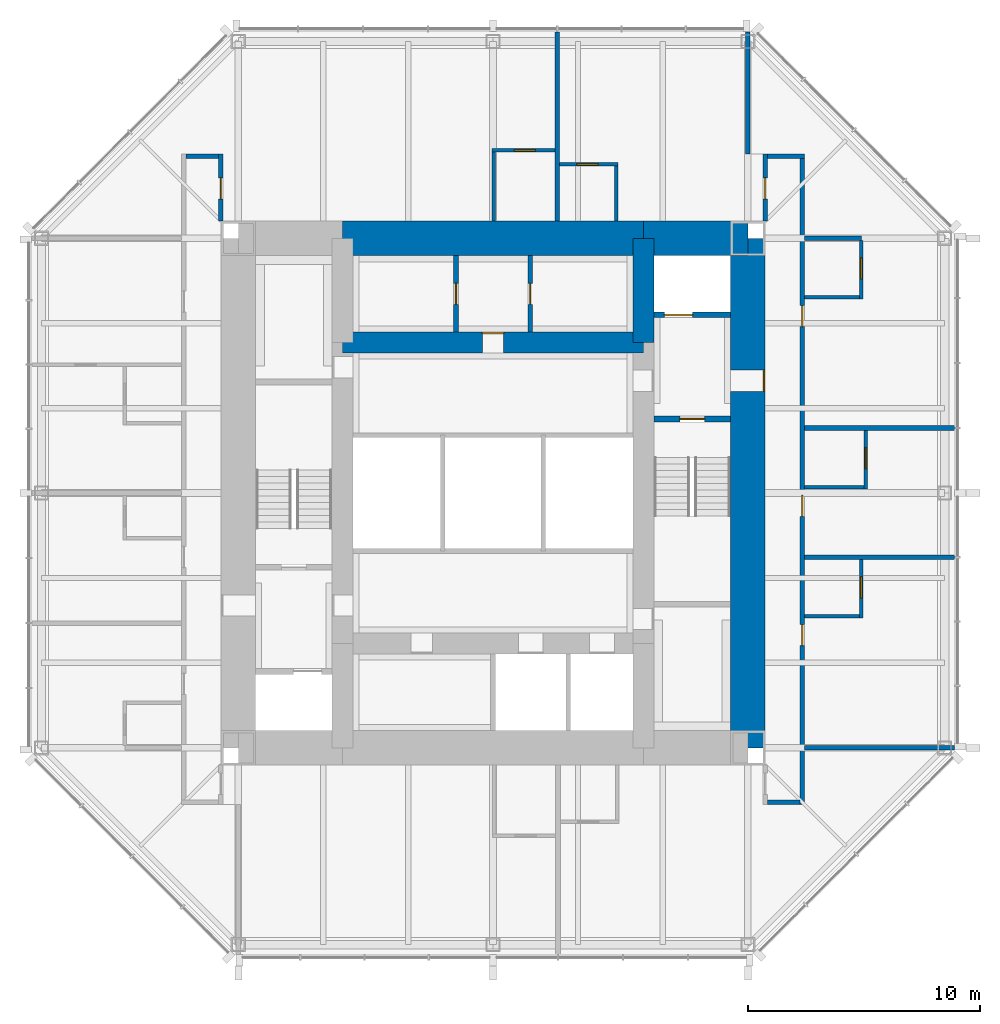
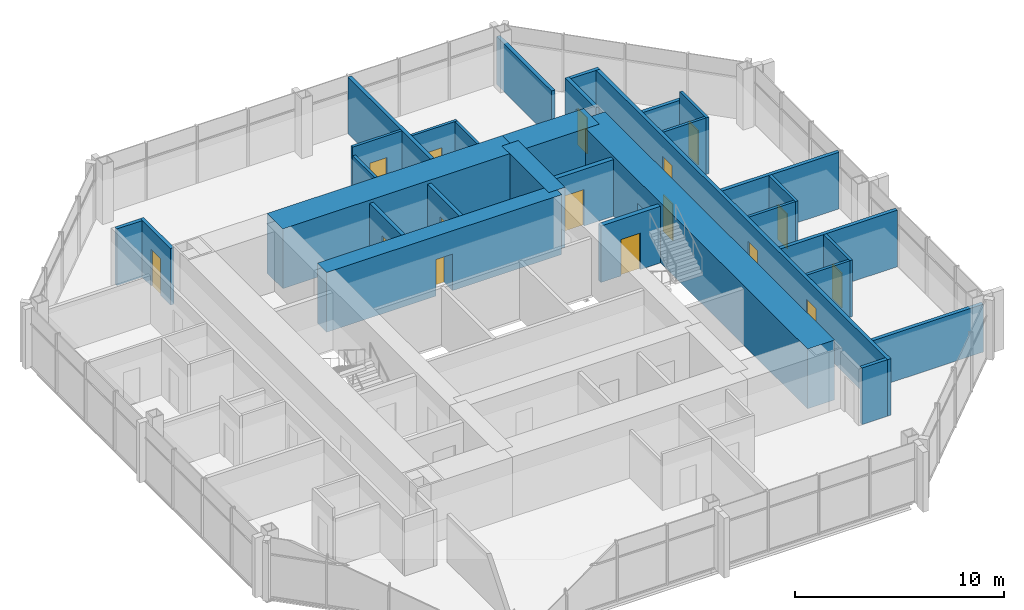
# One storey, part 9 of 11: 31 walls, 16 doors, 16 openings.
"""IFC4 building model written with IfcOpenShell, lengths in metres."""

from ifc_helpers import new_model, si_unit, direction, frame, frame_2d, origin, place, context, subcontext, project, spatial, rectangle, extrude, material, layer, layer_set, type_object, element, fill, save


model = new_model("IFC4")

# Units and contexts
model_context = context("Model", 3, precision=1e-05, world=origin(), true_north=direction((0.0, 1.0)))
body_context = subcontext(model_context, "Body", "Model", "MODEL_VIEW")
ifc_project = project(units=[si_unit("LENGTHUNIT", "METRE"), si_unit("AREAUNIT", "SQUARE_METRE"), si_unit("VOLUMEUNIT", "CUBIC_METRE"), si_unit("PLANEANGLEUNIT", "RADIAN"), si_unit("MASSUNIT", "GRAM", prefix="KILO")], contexts=[model_context])

# Site, building, storey
site_placement = place(None, origin())
site = spatial("IfcSite", under=ifc_project, at=site_placement, CompositionType="ELEMENT")
building_placement = place(site_placement, origin())
building = spatial("IfcBuilding", under=site, at=building_placement, Name="Trevanion Tower", CompositionType="ELEMENT")
storey_placement = place(building_placement, frame((0.0, 0.0, 250.199951171875)))
storey = spatial("IfcBuildingStorey", under=building, at=storey_placement, Name="L61", CompositionType="ELEMENT", Elevation=250.199951171875)

# Wall, opening, door
ifc_material_1 = material(Name="Concrete 10,000 psi", Category="concrete")
ifc_layer_1 = layer(ifc_material_1, 1.5)
ifc_layer_set_1 = layer_set([ifc_layer_1], Name="CW1 core wall 1500")
wall_type_1 = type_object("IfcWallType", Name="CW1 core wall 1500", PredefinedType="SHEAR", material=ifc_layer_set_1)
wall_1_placement = place(storey_placement, frame((11.0, -11.0, 0.0), z_axis=(0.0, 0.0, 1.0), x_axis=(0.0, 1.0, 0.0)))
wall_1 = element("IfcWall", 1, at=wall_1_placement, inside=storey, type_object=wall_type_1, Name="CW1 CE L61", PredefinedType="SHEAR", context=body_context, shape_type="SweptSolid", body=[
    extrude(rectangle(XDim=22.0, YDim=1.5, at=frame_2d((11.0, 0.0))), origin(), (0.0, 0.0, 1.0), 3.5),
])
opening_1_placement = place(wall_1_placement, frame((15.392578125, 0.0, 0.0)))
opening_1 = element("IfcOpeningElement", 2, at=opening_1_placement, cuts=wall_1, Name="Opening 61-001", PredefinedType="OPENING", context=body_context, shape_type="SweptSolid", body=[
    extrude(rectangle(XDim=0.9150390625, YDim=2.134033203125, at=frame_2d((0.45751953125, 1.06689453125))), frame((0.0, 0.760009765625, 0.0), z_axis=(0.0, -1.0, 0.0), x_axis=(1.0, 0.0, 0.0)), (0.0, 0.0, 1.0), 1.52001953125),
])
ifc_material_2 = material(Name="Hollow metal, fire rated", Category="steel")
door_type_1 = type_object("IfcDoorType", Name="D3 fire lift lobby door", OperationType="SINGLE_SWING_RIGHT", PredefinedType="DOOR", material=ifc_material_2)
door_1_placement = place(opening_1_placement, origin())
door_1 = element("IfcDoor", 3, at=door_1_placement, inside=storey, type_object=door_type_1, Name="Door 61-001", OperationType="SINGLE_SWING_RIGHT", OverallHeight=2.134033203125, OverallWidth=0.9150390625, PredefinedType="DOOR", context=body_context, shape_type="SweptSolid", body=[
    extrude(rectangle(XDim=0.9150390625, YDim=2.134033203125, at=frame_2d((0.45751953125, 1.06689453125))), frame((0.0, -0.6748046875, 0.0), z_axis=(0.0, -1.0, 0.0), x_axis=(1.0, 0.0, 0.0)), (0.0, 0.0, 1.0), 0.050048828125),
])
fill(opening_1, door_1)

# Walls
wall_2_placement = place(storey_placement, frame((11.0, 11.0, 0.0), z_axis=(0.0, 0.0, 1.0), x_axis=(-1.0, 0.0, 0.0)))
element("IfcWall", 4, at=wall_2_placement, inside=storey, type_object=wall_type_1, Name="CW1 CN1 L61", PredefinedType="SHEAR", context=body_context, shape_type="SweptSolid", body=[
    extrude(rectangle(XDim=4.5, YDim=1.5, at=frame_2d((2.25, 0.0))), origin(), (0.0, 0.0, 1.0), 3.5),
])
wall_3_placement = place(storey_placement, frame((6.5, 11.0, 0.0), z_axis=(0.0, 0.0, 1.0), x_axis=(-1.0, 0.0, 0.0)))
element("IfcWall", 5, at=wall_3_placement, inside=storey, type_object=wall_type_1, Name="CW1 CN2 L61", PredefinedType="SHEAR", context=body_context, shape_type="SweptSolid", body=[
    extrude(rectangle(XDim=13.0, YDim=1.5, at=frame_2d((6.5, 0.0))), origin(), (0.0, 0.0, 1.0), 3.5),
])
ifc_material_3 = material(Name="Concrete 10,000 psi", Category="concrete")
ifc_layer_2 = layer(ifc_material_3, 0.89990234375)
ifc_layer_set_2 = layer_set([ifc_layer_2], Name="CW2 core wall 900")
wall_type_2 = type_object("IfcWallType", Name="CW2 core wall 900", PredefinedType="SHEAR", material=ifc_layer_set_2)
wall_4_placement = place(storey_placement, frame((6.5, 6.5, 0.0), z_axis=(0.0, 0.0, 1.0), x_axis=(0.0, 1.0, 0.0)))
element("IfcWall", 6, at=wall_4_placement, inside=storey, type_object=wall_type_2, Name="CW2 RE3 L61", PredefinedType="SHEAR", context=body_context, shape_type="SweptSolid", body=[
    extrude(rectangle(XDim=4.5, YDim=0.89990234375, at=frame_2d((2.25, 0.0))), origin(), (0.0, 0.0, 1.0), 3.5),
])

# Wall, opening, door
wall_5_placement = place(storey_placement, frame((6.5, 6.5, 0.0), z_axis=(0.0, 0.0, 1.0), x_axis=(-1.0, 0.0, 0.0)))
wall_5 = element("IfcWall", 7, at=wall_5_placement, inside=storey, type_object=wall_type_2, Name="CW2 RN L61", PredefinedType="SHEAR", context=body_context, shape_type="SweptSolid", body=[
    extrude(rectangle(XDim=13.0, YDim=0.89990234375, at=frame_2d((6.5, 0.0))), origin(), (0.0, 0.0, 1.0), 3.5),
])
opening_2_placement = place(wall_5_placement, frame((6.04248046875, 0.0, 0.0)))
opening_2 = element("IfcOpeningElement", 8, at=opening_2_placement, cuts=wall_5, Name="Opening 61-014", PredefinedType="OPENING", context=body_context, shape_type="SweptSolid", body=[
    extrude(rectangle(XDim=0.9150390625, YDim=2.134033203125, at=frame_2d((0.45751953125, 1.06689453125))), frame((0.0, 0.4599609375, 0.0), z_axis=(0.0, -1.0, 0.0), x_axis=(1.0, 0.0, 0.0)), (0.0, 0.0, 1.0), 0.919921875),
])
ifc_material_4 = material(Name="Hollow metal, fire rated", Category="steel")
door_type_2 = type_object("IfcDoorType", Name="D5 service room door", OperationType="SINGLE_SWING_RIGHT", PredefinedType="DOOR", material=ifc_material_4)
door_2_placement = place(opening_2_placement, origin())
door_2 = element("IfcDoor", 9, at=door_2_placement, inside=storey, type_object=door_type_2, Name="Door 61-014", OperationType="SINGLE_SWING_RIGHT", OverallHeight=2.134033203125, OverallWidth=0.9150390625, PredefinedType="DOOR", context=body_context, shape_type="SweptSolid", body=[
    extrude(rectangle(XDim=0.9150390625, YDim=2.134033203125, at=frame_2d((0.45751953125, 1.06689453125))), frame((0.0, -0.375, 0.0), z_axis=(0.0, -1.0, 0.0), x_axis=(1.0, 0.0, 0.0)), (0.0, 0.0, 1.0), 0.050048828125),
])
fill(opening_2, door_2)

ifc_material_5 = material(Name="Gypsum board on steel studs", Category="steel")
ifc_layer_3 = layer(ifc_material_5, 0.14990234375)
ifc_layer_set_3 = layer_set([ifc_layer_3], Name="PT1 partition 150")
wall_type_3 = type_object("IfcWallType", Name="PT1 partition 150", PredefinedType="PARTITIONING", material=ifc_layer_set_3)
wall_6_placement = place(storey_placement, frame((15.89990234375, -5.39990234375, 0.0), z_axis=(0.0, 0.0, 1.0), x_axis=(0.0, 1.0, 0.0)))
wall_6 = element("IfcWall", 10, at=wall_6_placement, inside=storey, type_object=wall_type_3, Name="PT1 L61 BA00", PredefinedType="PARTITIONING", context=body_context, shape_type="SweptSolid", body=[
    extrude(rectangle(XDim=2.52490234375, YDim=0.14990234375, at=frame_2d((1.262451171875, 0.0))), origin(), (0.0, 0.0, 1.0), 3.31005859375),
])
opening_3_placement = place(wall_6_placement, frame((0.867431640625, 0.0, 0.0)))
opening_3 = element("IfcOpeningElement", 11, at=opening_3_placement, cuts=wall_6, Name="Opening 61-017", PredefinedType="OPENING", context=body_context, shape_type="SweptSolid", body=[
    extrude(rectangle(XDim=0.9150390625, YDim=2.031982421875, at=frame_2d((0.45751953125, 1.01611328125))), frame((0.0, 0.0849609375, 0.0), z_axis=(0.0, -1.0, 0.0), x_axis=(1.0, 0.0, 0.0)), (0.0, 0.0, 1.0), 0.169921875),
])
ifc_material_6 = material(Name="Timber veneer", Category="wood")
door_type_3 = type_object("IfcDoorType", Name="D7 bathroom door", OperationType="SINGLE_SWING_LEFT", PredefinedType="DOOR", material=ifc_material_6)
door_3_placement = place(opening_3_placement, origin())
door_3 = element("IfcDoor", 12, at=door_3_placement, inside=storey, type_object=door_type_3, Name="Door 61-017", OperationType="SINGLE_SWING_LEFT", OverallHeight=2.031982421875, OverallWidth=0.9150390625, PredefinedType="DOOR", context=body_context, shape_type="SweptSolid", body=[
    extrude(rectangle(XDim=0.9150390625, YDim=2.031982421875, at=frame_2d((0.45751953125, 1.01611328125))), frame((0.0, 0.02490234375, 0.0), z_axis=(0.0, -1.0, 0.0), x_axis=(1.0, 0.0, 0.0)), (0.0, 0.0, 1.0), 0.050048828125),
])
fill(opening_3, door_3)

# Wall
wall_7_placement = place(storey_placement, frame((13.449951171875, -5.324951171875, 0.0), z_axis=(0.0, 0.0, 1.0), x_axis=(1.0, 0.0, 0.0)))
element("IfcWall", 13, at=wall_7_placement, inside=storey, type_object=wall_type_3, Name="PT1 L61 BB00", PredefinedType="PARTITIONING", context=body_context, shape_type="SweptSolid", body=[
    extrude(rectangle(XDim=2.375, YDim=0.14990234375, at=frame_2d((1.1875, 0.0))), origin(), (0.0, 0.0, 1.0), 3.31005859375),
])

# Wall, opening, door
wall_8_placement = place(storey_placement, frame((16.10009765625, 0.181884765625, 0.0), z_axis=(0.0, 0.0, 1.0), x_axis=(0.0, 1.0, 0.0)))
wall_8 = element("IfcWall", 14, at=wall_8_placement, inside=storey, type_object=wall_type_3, Name="PT1 L61 BA01", PredefinedType="PARTITIONING", context=body_context, shape_type="SweptSolid", body=[
    extrude(rectangle(XDim=2.525146484375, YDim=0.14990234375, at=frame_2d((1.2626953125, 0.0))), origin(), (0.0, 0.0, 1.0), 3.31005859375),
])
opening_4_placement = place(wall_8_placement, frame((0.867431640625, 0.0, 0.0)))
opening_4 = element("IfcOpeningElement", 15, at=opening_4_placement, cuts=wall_8, Name="Opening 61-019", PredefinedType="OPENING", context=body_context, shape_type="SweptSolid", body=[
    extrude(rectangle(XDim=0.9150390625, YDim=2.031982421875, at=frame_2d((0.45751953125, 1.01611328125))), frame((0.0, 0.0849609375, 0.0), z_axis=(0.0, -1.0, 0.0), x_axis=(1.0, 0.0, 0.0)), (0.0, 0.0, 1.0), 0.169921875),
])
door_4_placement = place(opening_4_placement, origin())
door_4 = element("IfcDoor", 16, at=door_4_placement, inside=storey, type_object=door_type_3, Name="Door 61-019", OperationType="SINGLE_SWING_LEFT", OverallHeight=2.031982421875, OverallWidth=0.9150390625, PredefinedType="DOOR", context=body_context, shape_type="SweptSolid", body=[
    extrude(rectangle(XDim=0.9150390625, YDim=2.031982421875, at=frame_2d((0.45751953125, 1.01611328125))), frame((0.0, 0.02490234375, 0.0), z_axis=(0.0, -1.0, 0.0), x_axis=(1.0, 0.0, 0.0)), (0.0, 0.0, 1.0), 0.050048828125),
])
fill(opening_4, door_4)

# Wall
wall_9_placement = place(storey_placement, frame((13.449951171875, 0.257080078125, 0.0), z_axis=(0.0, 0.0, 1.0), x_axis=(1.0, 0.0, 0.0)))
element("IfcWall", 17, at=wall_9_placement, inside=storey, type_object=wall_type_3, Name="PT1 L61 BB01", PredefinedType="PARTITIONING", context=body_context, shape_type="SweptSolid", body=[
    extrude(rectangle(XDim=2.574951171875, YDim=0.14990234375, at=frame_2d((1.28759765625, 0.0))), origin(), (0.0, 0.0, 1.0), 3.31005859375),
])

# Wall, opening, door
wall_10_placement = place(storey_placement, frame((15.89990234375, 8.375, 0.0), z_axis=(0.0, 0.0, 1.0), x_axis=(0.0, 1.0, 0.0)))
wall_10 = element("IfcWall", 18, at=wall_10_placement, inside=storey, type_object=wall_type_3, Name="PT1 L61 BA02", PredefinedType="PARTITIONING", context=body_context, shape_type="SweptSolid", body=[
    extrude(rectangle(XDim=2.52490234375, YDim=0.14990234375, at=frame_2d((1.262451171875, 0.0))), origin(), (0.0, 0.0, 1.0), 3.31005859375),
])
opening_5_placement = place(wall_10_placement, frame((0.867431640625, 0.0, 0.0)))
opening_5 = element("IfcOpeningElement", 19, at=opening_5_placement, cuts=wall_10, Name="Opening 61-021", PredefinedType="OPENING", context=body_context, shape_type="SweptSolid", body=[
    extrude(rectangle(XDim=0.9150390625, YDim=2.031982421875, at=frame_2d((0.45751953125, 1.01611328125))), frame((0.0, 0.0849609375, 0.0), z_axis=(0.0, -1.0, 0.0), x_axis=(1.0, 0.0, 0.0)), (0.0, 0.0, 1.0), 0.169921875),
])
door_5_placement = place(opening_5_placement, origin())
door_5 = element("IfcDoor", 20, at=door_5_placement, inside=storey, type_object=door_type_3, Name="Door 61-021", OperationType="SINGLE_SWING_LEFT", OverallHeight=2.031982421875, OverallWidth=0.9150390625, PredefinedType="DOOR", context=body_context, shape_type="SweptSolid", body=[
    extrude(rectangle(XDim=0.9150390625, YDim=2.031982421875, at=frame_2d((0.45751953125, 1.01611328125))), frame((0.0, 0.02490234375, 0.0), z_axis=(0.0, -1.0, 0.0), x_axis=(1.0, 0.0, 0.0)), (0.0, 0.0, 1.0), 0.050048828125),
])
fill(opening_5, door_5)

# Wall
wall_11_placement = place(storey_placement, frame((13.449951171875, 8.449951171875, 0.0), z_axis=(0.0, 0.0, 1.0), x_axis=(1.0, 0.0, 0.0)))
element("IfcWall", 21, at=wall_11_placement, inside=storey, type_object=wall_type_3, Name="PT1 L61 BB02", PredefinedType="PARTITIONING", context=body_context, shape_type="SweptSolid", body=[
    extrude(rectangle(XDim=2.375, YDim=0.14990234375, at=frame_2d((1.1875, 0.0))), origin(), (0.0, 0.0, 1.0), 3.31005859375),
])

# Wall, opening, door
wall_12_placement = place(storey_placement, frame((5.39990234375, 14.199951171875, 0.0), z_axis=(0.0, 0.0, 1.0), x_axis=(-1.0, 0.0, 0.0)))
wall_12 = element("IfcWall", 22, at=wall_12_placement, inside=storey, type_object=wall_type_3, Name="PT1 L61 BA10", PredefinedType="PARTITIONING", context=body_context, shape_type="SweptSolid", body=[
    extrude(rectangle(XDim=2.52490234375, YDim=0.14990234375, at=frame_2d((1.262451171875, 0.0))), origin(), (0.0, 0.0, 1.0), 3.31005859375),
])
opening_6_placement = place(wall_12_placement, frame((0.867431640625, 0.0, 0.0)))
opening_6 = element("IfcOpeningElement", 23, at=opening_6_placement, cuts=wall_12, Name="Opening 61-025", PredefinedType="OPENING", context=body_context, shape_type="SweptSolid", body=[
    extrude(rectangle(XDim=0.9150390625, YDim=2.031982421875, at=frame_2d((0.45751953125, 1.01611328125))), frame((0.0, 0.0849609375, 0.0), z_axis=(0.0, -1.0, 0.0), x_axis=(1.0, 0.0, 0.0)), (0.0, 0.0, 1.0), 0.169921875),
])
door_6_placement = place(opening_6_placement, origin())
door_6 = element("IfcDoor", 24, at=door_6_placement, inside=storey, type_object=door_type_3, Name="Door 61-025", OperationType="SINGLE_SWING_LEFT", OverallHeight=2.031982421875, OverallWidth=0.9150390625, PredefinedType="DOOR", context=body_context, shape_type="SweptSolid", body=[
    extrude(rectangle(XDim=0.9150390625, YDim=2.031982421875, at=frame_2d((0.45751953125, 1.01611328125))), frame((0.0, 0.02490234375, 0.0), z_axis=(0.0, -1.0, 0.0), x_axis=(1.0, 0.0, 0.0)), (0.0, 0.0, 1.0), 0.050048828125),
])
fill(opening_6, door_6)

# Wall
wall_13_placement = place(storey_placement, frame((5.324951171875, 11.75, 0.0), z_axis=(0.0, 0.0, 1.0), x_axis=(0.0, 1.0, 0.0)))
element("IfcWall", 25, at=wall_13_placement, inside=storey, type_object=wall_type_3, Name="PT1 L61 BB10", PredefinedType="PARTITIONING", context=body_context, shape_type="SweptSolid", body=[
    extrude(rectangle(XDim=2.375, YDim=0.14990234375, at=frame_2d((1.1875, 0.0))), origin(), (0.0, 0.0, 1.0), 3.31005859375),
])

# Wall, opening, door
wall_14_placement = place(storey_placement, frame((2.675048828125, 14.800048828125, 0.0), z_axis=(0.0, 0.0, 1.0), x_axis=(-1.0, 0.0, 0.0)))
wall_14 = element("IfcWall", 26, at=wall_14_placement, inside=storey, type_object=wall_type_3, Name="PT1 L61 BA11", PredefinedType="PARTITIONING", context=body_context, shape_type="SweptSolid", body=[
    extrude(rectangle(XDim=2.72509765625, YDim=0.14990234375, at=frame_2d((1.362548828125, 0.0))), origin(), (0.0, 0.0, 1.0), 3.31005859375),
])
opening_7_placement = place(wall_14_placement, frame((0.842529296875, 0.0, 0.0)))
opening_7 = element("IfcOpeningElement", 27, at=opening_7_placement, cuts=wall_14, Name="Opening 61-026", PredefinedType="OPENING", context=body_context, shape_type="SweptSolid", body=[
    extrude(rectangle(XDim=0.9150390625, YDim=2.031982421875, at=frame_2d((0.45751953125, 1.01611328125))), frame((0.0, 0.0849609375, 0.0), z_axis=(0.0, -1.0, 0.0), x_axis=(1.0, 0.0, 0.0)), (0.0, 0.0, 1.0), 0.169921875),
])
door_7_placement = place(opening_7_placement, origin())
door_7 = element("IfcDoor", 28, at=door_7_placement, inside=storey, type_object=door_type_3, Name="Door 61-026", OperationType="SINGLE_SWING_LEFT", OverallHeight=2.031982421875, OverallWidth=0.9150390625, PredefinedType="DOOR", context=body_context, shape_type="SweptSolid", body=[
    extrude(rectangle(XDim=0.9150390625, YDim=2.031982421875, at=frame_2d((0.45751953125, 1.01611328125))), frame((0.0, 0.02490234375, 0.0), z_axis=(0.0, -1.0, 0.0), x_axis=(1.0, 0.0, 0.0)), (0.0, 0.0, 1.0), 0.050048828125),
])
fill(opening_7, door_7)

# Wall
wall_15_placement = place(storey_placement, frame((0.02490234375, 11.75, 0.0), z_axis=(0.0, 0.0, 1.0), x_axis=(0.0, 1.0, 0.0)))
element("IfcWall", 29, at=wall_15_placement, inside=storey, type_object=wall_type_3, Name="PT1 L61 BB11", PredefinedType="PARTITIONING", context=body_context, shape_type="SweptSolid", body=[
    extrude(rectangle(XDim=2.97509765625, YDim=0.14990234375, at=frame_2d((1.487548828125, 0.0))), origin(), (0.0, 0.0, 1.0), 2.802001953125),
])

# Wall, opening, door
ifc_material_7 = material(Name="Concrete masonry, grouted", Category="masonry")
ifc_layer_4 = layer(ifc_material_7, 0.199951171875)
ifc_layer_set_4 = layer_set([ifc_layer_4], Name="PT2 partition 200 1 HR")
wall_type_4 = type_object("IfcWallType", Name="PT2 partition 200 1 HR", PredefinedType="PARTITIONING", material=ifc_layer_set_4)
wall_16_placement = place(storey_placement, frame((-1.60009765625, 6.949951171875, 0.0), z_axis=(0.0, 0.0, 1.0), x_axis=(0.0, 1.0, 0.0)))
wall_16 = element("IfcWall", 30, at=wall_16_placement, inside=storey, type_object=wall_type_4, Name="PT2 L61 HKP1", PredefinedType="PARTITIONING", context=body_context, shape_type="SweptSolid", body=[
    extrude(rectangle(XDim=3.300048828125, YDim=0.199951171875, at=frame_2d((1.64990234375, 0.0))), origin(), (0.0, 0.0, 1.0), 3.31005859375),
])
opening_8_placement = place(wall_16_placement, frame((1.1923828125, 0.0, 0.0)))
opening_8 = element("IfcOpeningElement", 31, at=opening_8_placement, cuts=wall_16, Name="Opening 61-015", PredefinedType="OPENING", context=body_context, shape_type="SweptSolid", body=[
    extrude(rectangle(XDim=0.9150390625, YDim=2.134033203125, at=frame_2d((0.45751953125, 1.06689453125))), frame((0.0, 0.10986328125, 0.0), z_axis=(0.0, -1.0, 0.0), x_axis=(1.0, 0.0, 0.0)), (0.0, 0.0, 1.0), 0.219970703125),
])
door_8_placement = place(opening_8_placement, origin())
door_8 = element("IfcDoor", 32, at=door_8_placement, inside=storey, type_object=door_type_2, Name="Door 61-015", OperationType="SINGLE_SWING_RIGHT", OverallHeight=2.134033203125, OverallWidth=0.9150390625, PredefinedType="DOOR", context=body_context, shape_type="SweptSolid", body=[
    extrude(rectangle(XDim=0.9150390625, YDim=2.134033203125, at=frame_2d((0.45751953125, 1.06689453125))), frame((0.0, 0.02490234375, 0.0), z_axis=(0.0, -1.0, 0.0), x_axis=(1.0, 0.0, 0.0)), (0.0, 0.0, 1.0), 0.050048828125),
])
fill(opening_8, door_8)

wall_17_placement = place(storey_placement, frame((1.60009765625, 6.949951171875, 0.0), z_axis=(0.0, 0.0, 1.0), x_axis=(0.0, 1.0, 0.0)))
wall_17 = element("IfcWall", 33, at=wall_17_placement, inside=storey, type_object=wall_type_4, Name="PT2 L61 HKP2", PredefinedType="PARTITIONING", context=body_context, shape_type="SweptSolid", body=[
    extrude(rectangle(XDim=3.300048828125, YDim=0.199951171875, at=frame_2d((1.64990234375, 0.0))), origin(), (0.0, 0.0, 1.0), 3.31005859375),
])
opening_9_placement = place(wall_17_placement, frame((1.1923828125, 0.0, 0.0)))
opening_9 = element("IfcOpeningElement", 34, at=opening_9_placement, cuts=wall_17, Name="Opening 61-016", PredefinedType="OPENING", context=body_context, shape_type="SweptSolid", body=[
    extrude(rectangle(XDim=0.9150390625, YDim=2.134033203125, at=frame_2d((0.45751953125, 1.06689453125))), frame((0.0, 0.10986328125, 0.0), z_axis=(0.0, -1.0, 0.0), x_axis=(1.0, 0.0, 0.0)), (0.0, 0.0, 1.0), 0.219970703125),
])
door_9_placement = place(opening_9_placement, origin())
door_9 = element("IfcDoor", 35, at=door_9_placement, inside=storey, type_object=door_type_2, Name="Door 61-016", OperationType="SINGLE_SWING_RIGHT", OverallHeight=2.134033203125, OverallWidth=0.9150390625, PredefinedType="DOOR", context=body_context, shape_type="SweptSolid", body=[
    extrude(rectangle(XDim=0.9150390625, YDim=2.134033203125, at=frame_2d((0.45751953125, 1.06689453125))), frame((0.0, 0.02490234375, 0.0), z_axis=(0.0, -1.0, 0.0), x_axis=(1.0, 0.0, 0.0)), (0.0, 0.0, 1.0), 0.050048828125),
])
fill(opening_9, door_9)

wall_18_placement = place(storey_placement, frame((11.75, 11.75, 0.0), z_axis=(0.0, 0.0, 1.0), x_axis=(0.0, 1.0, 0.0)))
wall_18 = element("IfcWall", 36, at=wall_18_placement, inside=storey, type_object=wall_type_4, Name="PT2 L61 HO1a", PredefinedType="PARTITIONING", context=body_context, shape_type="SweptSolid", body=[
    extrude(rectangle(XDim=2.89990234375, YDim=0.199951171875, at=frame_2d((1.449951171875, 0.0))), origin(), (0.0, 0.0, 1.0), 3.31005859375),
])
opening_10_placement = place(wall_18_placement, frame((0.9423828125, 0.0, 0.0)))
opening_10 = element("IfcOpeningElement", 37, at=opening_10_placement, cuts=wall_18, Name="Opening 61-023", PredefinedType="OPENING", context=body_context, shape_type="SweptSolid", body=[
    extrude(rectangle(XDim=0.9150390625, YDim=2.134033203125, at=frame_2d((0.45751953125, 1.06689453125))), frame((0.0, 0.10986328125, 0.0), z_axis=(0.0, -1.0, 0.0), x_axis=(1.0, 0.0, 0.0)), (0.0, 0.0, 1.0), 0.219970703125),
])
ifc_material_8 = material(Name="Timber veneer, fire rated", Category="wood")
door_type_4 = type_object("IfcDoorType", Name="D6 guest room entrance door", OperationType="SINGLE_SWING_LEFT", PredefinedType="DOOR", material=ifc_material_8)
door_10_placement = place(opening_10_placement, origin())
door_10 = element("IfcDoor", 38, at=door_10_placement, inside=storey, type_object=door_type_4, Name="Door 61-023", OperationType="SINGLE_SWING_LEFT", OverallHeight=2.134033203125, OverallWidth=0.9150390625, PredefinedType="DOOR", context=body_context, shape_type="SweptSolid", body=[
    extrude(rectangle(XDim=0.9150390625, YDim=2.134033203125, at=frame_2d((0.45751953125, 1.06689453125))), frame((0.0, 0.02490234375, 0.0), z_axis=(0.0, -1.0, 0.0), x_axis=(1.0, 0.0, 0.0)), (0.0, 0.0, 1.0), 0.050048828125),
])
fill(opening_10, door_10)

wall_19_placement = place(storey_placement, frame((-11.75, 11.75, 0.0), z_axis=(0.0, 0.0, 1.0), x_axis=(0.0, 1.0, 0.0)))
wall_19 = element("IfcWall", 39, at=wall_19_placement, inside=storey, type_object=wall_type_4, Name="PT2 L61 HO1b", PredefinedType="PARTITIONING", context=body_context, shape_type="SweptSolid", body=[
    extrude(rectangle(XDim=2.89990234375, YDim=0.199951171875, at=frame_2d((1.449951171875, 0.0))), origin(), (0.0, 0.0, 1.0), 3.31005859375),
])
opening_11_placement = place(wall_19_placement, frame((0.9423828125, 0.0, 0.0)))
opening_11 = element("IfcOpeningElement", 40, at=opening_11_placement, cuts=wall_19, Name="Opening 61-024", PredefinedType="OPENING", context=body_context, shape_type="SweptSolid", body=[
    extrude(rectangle(XDim=0.9150390625, YDim=2.134033203125, at=frame_2d((0.45751953125, 1.06689453125))), frame((0.0, 0.10986328125, 0.0), z_axis=(0.0, -1.0, 0.0), x_axis=(1.0, 0.0, 0.0)), (0.0, 0.0, 1.0), 0.219970703125),
])
door_11_placement = place(opening_11_placement, origin())
door_11 = element("IfcDoor", 41, at=door_11_placement, inside=storey, type_object=door_type_4, Name="Door 61-024", OperationType="SINGLE_SWING_LEFT", OverallHeight=2.134033203125, OverallWidth=0.9150390625, PredefinedType="DOOR", context=body_context, shape_type="SweptSolid", body=[
    extrude(rectangle(XDim=0.9150390625, YDim=2.134033203125, at=frame_2d((0.45751953125, 1.06689453125))), frame((0.0, 0.02490234375, 0.0), z_axis=(0.0, -1.0, 0.0), x_axis=(1.0, 0.0, 0.0)), (0.0, 0.0, 1.0), 0.050048828125),
])
fill(opening_11, door_11)

# Walls
wall_20_placement = place(storey_placement, frame((13.449951171875, 14.550048828125, 0.0), z_axis=(0.0, 0.0, 1.0), x_axis=(-1.0, 0.0, 0.0)))
element("IfcWall", 42, at=wall_20_placement, inside=storey, type_object=wall_type_4, Name="PT2 L61 HC1ca", PredefinedType="PARTITIONING", context=body_context, shape_type="SweptSolid", body=[
    extrude(rectangle(XDim=1.599853515625, YDim=0.199951171875, at=frame_2d((0.7998046875, 0.0))), origin(), (0.0, 0.0, 1.0), 3.31005859375),
])
for number, where, z_axis, x_axis, name in (
    (43, (-11.85009765625, 14.550048828125, 0.0), (0.0, 0.0, 1.0), (-1.0, 0.0, 0.0), "PT2 L61 HC1cb"),
    (44, (11.85009765625, -13.35009765625, 0.0), (0.0, 0.0, 1.0), (1.0, 0.0, 0.0), "PT2 L61 HC3cb"),
):
    element("IfcWall", number, at=place(storey_placement, frame(where, z_axis=z_axis, x_axis=x_axis)), inside=storey, type_object=wall_type_4, Name=name, PredefinedType="PARTITIONING", context=body_context, shape_type="SweptSolid", body=[
        extrude(rectangle(XDim=1.39990234375, YDim=0.199951171875, at=frame_2d((0.699951171875, 0.0))), origin(), (0.0, 0.0, 1.0), 3.31005859375),
    ])

# Wall, openings, doors
wall_21_placement = place(storey_placement, frame((13.35009765625, -13.449951171875, 0.0), z_axis=(0.0, 0.0, 1.0), x_axis=(0.0, 1.0, 0.0)))
wall_21 = element("IfcWall", 45, at=wall_21_placement, inside=storey, type_object=wall_type_4, Name="PT2 L61 HC0", PredefinedType="PARTITIONING", context=body_context, shape_type="SweptSolid", body=[
    extrude(rectangle(XDim=27.89990234375, YDim=0.199951171875, at=frame_2d((13.949951171875, 0.0))), origin(), (0.0, 0.0, 1.0), 3.31005859375),
])
opening_12_placement = place(wall_21_placement, frame((6.857421875, 0.0, 0.0)))
opening_12 = element("IfcOpeningElement", 46, at=opening_12_placement, cuts=wall_21, Name="Opening 61-018", PredefinedType="OPENING", context=body_context, shape_type="SweptSolid", body=[
    extrude(rectangle(XDim=0.9150390625, YDim=2.134033203125, at=frame_2d((0.45751953125, 1.06689453125))), frame((0.0, 0.10986328125, 0.0), z_axis=(0.0, -1.0, 0.0), x_axis=(1.0, 0.0, 0.0)), (0.0, 0.0, 1.0), 0.219970703125),
])
opening_13_placement = place(wall_21_placement, frame((12.439453125, 0.0, 0.0)))
opening_13 = element("IfcOpeningElement", 47, at=opening_13_placement, cuts=wall_21, Name="Opening 61-020", PredefinedType="OPENING", context=body_context, shape_type="SweptSolid", body=[
    extrude(rectangle(XDim=0.9150390625, YDim=2.134033203125, at=frame_2d((0.45751953125, 1.06689453125))), frame((0.0, 0.10986328125, 0.0), z_axis=(0.0, -1.0, 0.0), x_axis=(1.0, 0.0, 0.0)), (0.0, 0.0, 1.0), 0.219970703125),
])
opening_14_placement = place(wall_21_placement, frame((20.632568359375, 0.0, 0.0)))
opening_14 = element("IfcOpeningElement", 48, at=opening_14_placement, cuts=wall_21, Name="Opening 61-022", PredefinedType="OPENING", context=body_context, shape_type="SweptSolid", body=[
    extrude(rectangle(XDim=0.9150390625, YDim=2.134033203125, at=frame_2d((0.45751953125, 1.06689453125))), frame((0.0, 0.10986328125, 0.0), z_axis=(0.0, -1.0, 0.0), x_axis=(1.0, 0.0, 0.0)), (0.0, 0.0, 1.0), 0.219970703125),
])
door_12_placement = place(opening_12_placement, origin())
door_12 = element("IfcDoor", 49, at=door_12_placement, inside=storey, type_object=door_type_4, Name="Door 61-018", OperationType="SINGLE_SWING_LEFT", OverallHeight=2.134033203125, OverallWidth=0.9150390625, PredefinedType="DOOR", context=body_context, shape_type="SweptSolid", body=[
    extrude(rectangle(XDim=0.9150390625, YDim=2.134033203125, at=frame_2d((0.45751953125, 1.06689453125))), frame((0.0, 0.02490234375, 0.0), z_axis=(0.0, -1.0, 0.0), x_axis=(1.0, 0.0, 0.0)), (0.0, 0.0, 1.0), 0.050048828125),
])
fill(opening_12, door_12)
door_13_placement = place(opening_13_placement, origin())
door_13 = element("IfcDoor", 50, at=door_13_placement, inside=storey, type_object=door_type_4, Name="Door 61-020", OperationType="SINGLE_SWING_LEFT", OverallHeight=2.134033203125, OverallWidth=0.9150390625, PredefinedType="DOOR", context=body_context, shape_type="SweptSolid", body=[
    extrude(rectangle(XDim=0.9150390625, YDim=2.134033203125, at=frame_2d((0.45751953125, 1.06689453125))), frame((0.0, 0.02490234375, 0.0), z_axis=(0.0, -1.0, 0.0), x_axis=(1.0, 0.0, 0.0)), (0.0, 0.0, 1.0), 0.050048828125),
])
fill(opening_13, door_13)
door_14_placement = place(opening_14_placement, origin())
door_14 = element("IfcDoor", 51, at=door_14_placement, inside=storey, type_object=door_type_4, Name="Door 61-022", OperationType="SINGLE_SWING_LEFT", OverallHeight=2.134033203125, OverallWidth=0.9150390625, PredefinedType="DOOR", context=body_context, shape_type="SweptSolid", body=[
    extrude(rectangle(XDim=0.9150390625, YDim=2.134033203125, at=frame_2d((0.45751953125, 1.06689453125))), frame((0.0, 0.02490234375, 0.0), z_axis=(0.0, -1.0, 0.0), x_axis=(1.0, 0.0, 0.0)), (0.0, 0.0, 1.0), 0.050048828125),
])
fill(opening_14, door_14)

# Walls
wall_22_placement = place(storey_placement, frame((13.449951171875, -11.0, 0.0), z_axis=(0.0, 0.0, 1.0), x_axis=(1.0, 0.0, 0.0)))
element("IfcWall", 52, at=wall_22_placement, inside=storey, type_object=wall_type_4, Name="PT2 L61 HD00", PredefinedType="PARTITIONING", context=body_context, shape_type="SweptSolid", body=[
    extrude(rectangle(XDim=6.465087890625, YDim=0.199951171875, at=frame_2d((3.232421875, 0.0))), origin(), (0.0, 0.0, 1.0), 2.802001953125),
])
for number, where, z_axis, x_axis, name in (
    (53, (13.449951171875, -2.77490234375, 0.0), (0.0, 0.0, 1.0), (1.0, 0.0, 0.0), "PT2 L61 HD01"),
    (54, (13.449951171875, 2.806884765625, 0.0), (0.0, 0.0, 1.0), (1.0, 0.0, 0.0), "PT2 L61 HD02"),
):
    element("IfcWall", number, at=place(storey_placement, frame(where, z_axis=z_axis, x_axis=x_axis)), inside=storey, type_object=wall_type_4, Name=name, PredefinedType="PARTITIONING", context=body_context, shape_type="SweptSolid", body=[
        extrude(rectangle(XDim=6.465087890625, YDim=0.199951171875, at=frame_2d((3.232421875, 0.0))), origin(), (0.0, 0.0, 1.0), 3.31005859375),
    ])
wall_23_placement = place(storey_placement, frame((13.449951171875, 11.0, 0.0), z_axis=(0.0, 0.0, 1.0), x_axis=(1.0, 0.0, 0.0)))
element("IfcWall", 55, at=wall_23_placement, inside=storey, type_object=wall_type_4, Name="PT2 L61 BC02", PredefinedType="PARTITIONING", context=body_context, shape_type="SweptSolid", body=[
    extrude(rectangle(XDim=2.449951171875, YDim=0.199951171875, at=frame_2d((1.22509765625, 0.0))), origin(), (0.0, 0.0, 1.0), 2.802001953125),
])
wall_24_placement = place(storey_placement, frame((11.0, 14.64990234375, 0.0), z_axis=(0.0, 0.0, 1.0), x_axis=(0.0, 1.0, 0.0)))
element("IfcWall", 56, at=wall_24_placement, inside=storey, type_object=wall_type_4, Name="PT2 L61 HD10", PredefinedType="PARTITIONING", context=body_context, shape_type="SweptSolid", body=[
    extrude(rectangle(XDim=5.26513671875, YDim=0.199951171875, at=frame_2d((2.632568359375, 0.0))), origin(), (0.0, 0.0, 1.0), 2.802001953125),
])
wall_25_placement = place(storey_placement, frame((2.77490234375, 11.75, 0.0), z_axis=(0.0, 0.0, 1.0), x_axis=(0.0, 1.0, 0.0)))
element("IfcWall", 57, at=wall_25_placement, inside=storey, type_object=wall_type_4, Name="PT2 L61 HD11", PredefinedType="PARTITIONING", context=body_context, shape_type="SweptSolid", body=[
    extrude(rectangle(XDim=8.1650390625, YDim=0.199951171875, at=frame_2d((4.08251953125, 0.0))), origin(), (0.0, 0.0, 1.0), 3.31005859375),
])

# Wall, opening, door
ifc_material_9 = material(Name="Concrete masonry, grouted, two-hour", Category="masonry")
ifc_layer_5 = layer(ifc_material_9, 0.25)
ifc_layer_set_5 = layer_set([ifc_layer_5], Name="PT3 partition 250 2 HR")
wall_type_5 = type_object("IfcWallType", Name="PT3 partition 250 2 HR", PredefinedType="PARTITIONING", material=ifc_layer_set_5)
wall_26_placement = place(storey_placement, frame((6.949951171875, 7.699951171875, 0.0), z_axis=(0.0, 0.0, 1.0), x_axis=(1.0, 0.0, 0.0)))
wall_26 = element("IfcWall", 58, at=wall_26_placement, inside=storey, type_object=wall_type_5, Name="PT3 L61 EP3", PredefinedType="PARTITIONING", context=body_context, shape_type="SweptSolid", body=[
    extrude(rectangle(XDim=3.300048828125, YDim=0.25, at=frame_2d((1.64990234375, 0.0))), origin(), (0.0, 0.0, 1.0), 3.31005859375),
])
opening_15_placement = place(wall_26_placement, frame((0.449951171875, 0.0, 0.0)))
opening_15 = element("IfcOpeningElement", 59, at=opening_15_placement, cuts=wall_26, Name="Opening 61-007", PredefinedType="OPENING", context=body_context, shape_type="SweptSolid", body=[
    extrude(rectangle(XDim=1.218994140625, YDim=2.134033203125, at=frame_2d((0.609375, 1.06689453125))), frame((0.0, 0.135009765625, 0.0), z_axis=(0.0, -1.0, 0.0), x_axis=(1.0, 0.0, 0.0)), (0.0, 0.0, 1.0), 0.27001953125),
])
ifc_material_10 = material(Name="Stainless steel, fire rated", Category="steel")
door_type_5 = type_object("IfcDoorType", Name="LD2 fire service lift landing door", OperationType="SLIDING_TO_LEFT", PredefinedType="DOOR", material=ifc_material_10)
door_15_placement = place(opening_15_placement, origin())
door_15 = element("IfcDoor", 60, at=door_15_placement, inside=storey, type_object=door_type_5, Name="Door 61-007", OperationType="SLIDING_TO_LEFT", OverallHeight=2.134033203125, OverallWidth=1.218994140625, PredefinedType="DOOR", context=body_context, shape_type="SweptSolid", body=[
    extrude(rectangle(XDim=1.218994140625, YDim=2.134033203125, at=frame_2d((0.609375, 1.06689453125))), frame((0.0, 0.02490234375, 0.0), z_axis=(0.0, -1.0, 0.0), x_axis=(1.0, 0.0, 0.0)), (0.0, 0.0, 1.0), 0.050048828125),
])
fill(opening_15, door_15)

ifc_material_11 = material(Name="Reinforced masonry, fully grouted", Category="masonry")
ifc_layer_6 = layer(ifc_material_11, 0.25)
ifc_layer_set_6 = layer_set([ifc_layer_6], Name="SW1 stair shaft wall 250")
wall_type_6 = type_object("IfcWallType", Name="SW1 stair shaft wall 250", PredefinedType="SOLIDWALL", material=ifc_layer_set_6)
wall_27_placement = place(storey_placement, frame((6.949951171875, 3.199951171875, 0.0), z_axis=(0.0, 0.0, 1.0), x_axis=(1.0, 0.0, 0.0)))
wall_27 = element("IfcWall", 61, at=wall_27_placement, inside=storey, type_object=wall_type_6, Name="SW1 L61 EP2", PredefinedType="SOLIDWALL", context=body_context, shape_type="SweptSolid", body=[
    extrude(rectangle(XDim=3.300048828125, YDim=0.25, at=frame_2d((1.64990234375, 0.0))), origin(), (0.0, 0.0, 1.0), 3.31005859375),
])
opening_16_placement = place(wall_27_placement, frame((1.116455078125, 0.0, 0.0)))
opening_16 = element("IfcOpeningElement", 62, at=opening_16_placement, cuts=wall_27, Name="Opening 61-005", PredefinedType="OPENING", context=body_context, shape_type="SweptSolid", body=[
    extrude(rectangle(XDim=1.06689453125, YDim=2.134033203125, at=frame_2d((0.533447265625, 1.06689453125))), frame((0.0, 0.135009765625, 0.0), z_axis=(0.0, -1.0, 0.0), x_axis=(1.0, 0.0, 0.0)), (0.0, 0.0, 1.0), 0.27001953125),
])
ifc_material_12 = material(Name="Hollow metal, fire rated", Category="steel")
door_type_6 = type_object("IfcDoorType", Name="D2 exit stair door", OperationType="SINGLE_SWING_LEFT", PredefinedType="DOOR", material=ifc_material_12)
door_16_placement = place(opening_16_placement, origin())
door_16 = element("IfcDoor", 63, at=door_16_placement, inside=storey, type_object=door_type_6, Name="Door 61-005", OperationType="SINGLE_SWING_LEFT", OverallHeight=2.134033203125, OverallWidth=1.06689453125, PredefinedType="DOOR", context=body_context, shape_type="SweptSolid", body=[
    extrude(rectangle(XDim=1.06689453125, YDim=2.134033203125, at=frame_2d((0.533447265625, 1.06689453125))), frame((0.0, 0.02490234375, 0.0), z_axis=(0.0, -1.0, 0.0), x_axis=(1.0, 0.0, 0.0)), (0.0, 0.0, 1.0), 0.050048828125),
])
fill(opening_16, door_16)

save(model, "model.ifc")
